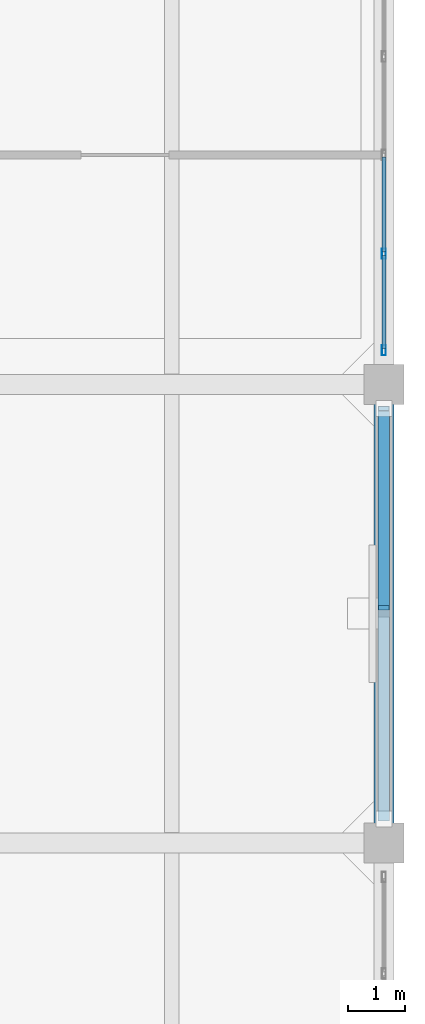
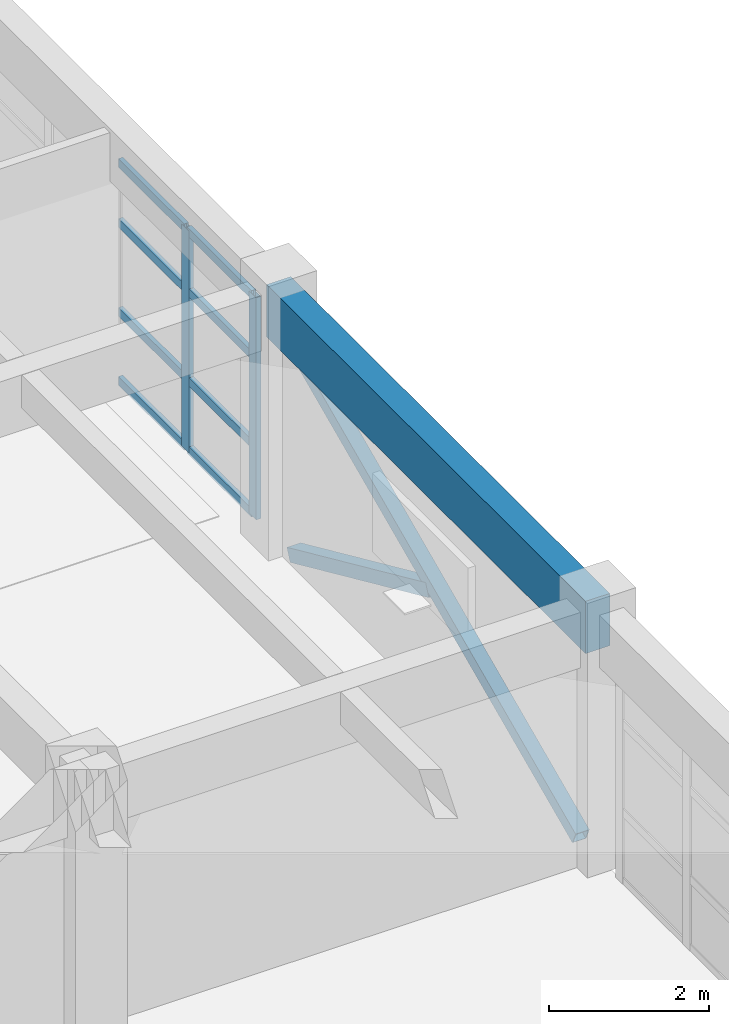
# One storey, part 10 of 25: 12 members, 1 beam, 1 element without a shape of its own.
"""IFC4 building model written with IfcOpenShell, lengths in metres."""

from ifc_helpers import new_model, si_unit, direction, frame, origin, origin_2d, place, context, subcontext, project, spatial, rectangle, hollow_rectangle, extrude, material, layer, layer_set, material_profile, profile_set, type_object, element, aggregate, save


model = new_model("IFC4")

# Units and contexts
model_context = context("Model", 3, precision=1e-05, world=origin(), true_north=direction((0.0, 1.0)))
body_context = subcontext(model_context, "Body", "Model", "MODEL_VIEW")
ifc_project = project(units=[si_unit("LENGTHUNIT", "METRE"), si_unit("AREAUNIT", "SQUARE_METRE"), si_unit("VOLUMEUNIT", "CUBIC_METRE"), si_unit("PLANEANGLEUNIT", "RADIAN"), si_unit("MASSUNIT", "GRAM", prefix="KILO")], contexts=[model_context])

# Site, building, storey
site_placement = place(None, origin())
site = spatial("IfcSite", under=ifc_project, at=site_placement, CompositionType="ELEMENT")
building_placement = place(site_placement, origin())
building = spatial("IfcBuilding", under=site, at=building_placement, Name="Canggui Botanical Conservatory", CompositionType="ELEMENT")
storey_placement = place(building_placement, frame((0.0, 0.0, 40.199951171875)))
storey = spatial("IfcBuildingStorey", under=building, at=storey_placement, Name="L10", CompositionType="ELEMENT", Elevation=40.199951171875)

# Beam
ifc_material_1 = material(Name="Concrete C35", Category="concrete")
ifc_material_profile_1 = material_profile(ifc_material_1, rectangle(XDim=0.35009765625, YDim=0.800048828125, at=origin_2d()), Name="RB 350x800")
ifc_profile_set_1 = profile_set([ifc_material_profile_1], Name="Concrete C35")
beam_type = type_object("IfcBeamType", Name="BM-KL15", PredefinedType="BEAM", material=ifc_profile_set_1)
beam_placement = place(storey_placement, frame((177.39990234375, 42.0, 3.56005859375), z_axis=(0.0, 1.0, 0.0), x_axis=(-1.0, 0.0, 0.0)))
element("IfcBeam", 1, at=beam_placement, inside=storey, type_object=beam_type, Name="Frame Girder L10 X178-2", PredefinedType="BEAM", context=body_context, shape_type="SweptSolid", body=[
    extrude(rectangle(XDim=0.35009765625, YDim=0.800048828125, at=origin_2d()), origin(), (0.0, 0.0, 1.0), 8.0),
])

# Curtain wall, members
ifc_material_2 = material(Name="Thermally Broken Aluminium", Category="aluminium")
ifc_layer = layer(ifc_material_2, 0.179931640625, Name="Thermally Broken Aluminium", Category="aluminium")
ifc_layer_set = layer_set([ifc_layer], Name="Thermally Broken Aluminium")
curtain_wall_type = type_object("IfcCurtainWallType", Name="CW-UNIT-A", PredefinedType="USERDEFINED", material=ifc_layer_set)
curtain_wall_placement = place(storey_placement, origin())
curtain_wall = element("IfcCurtainWall", 2, at=curtain_wall_placement, inside=storey, type_object=curtain_wall_type, Name="Facade Curtain Wall CW-TWR-L10-16", ObjectType="UNITISED CURTAIN WALL", PredefinedType="USERDEFINED")
ifc_material_profile_2 = material_profile(ifc_material_2, hollow_rectangle(XDim=0.070068359375, YDim=0.179931640625, WallThickness=0.00390625, at=origin_2d()), Name="CWM 70x180x4")
ifc_profile_set_2 = profile_set([ifc_material_profile_2], Name="Thermally Broken Aluminium")
member_type_1 = type_object("IfcMemberType", Name="CWM-01", PredefinedType="MULLION", material=ifc_profile_set_2)
member_1_placement = place(storey_placement, frame((177.39990234375, 52.280029296875, 0.0), z_axis=(0.0, 0.0, 1.0), x_axis=(1.0, 0.0, 0.0)))
member_1 = element("IfcMember", 3, at=member_1_placement, type_object=member_type_1, Name="CW-01 mullion 4", PredefinedType="MULLION", context=body_context, shape_type="SweptSolid", body=[
    extrude(hollow_rectangle(XDim=0.070068359375, YDim=0.179931640625, WallThickness=0.00390625, at=origin_2d()), origin(), (0.0, 0.0, 1.0), 3.400146484375),
])
member_2_placement = place(storey_placement, frame((177.39990234375, 50.594970703125, 0.0), z_axis=(0.0, 0.0, 1.0), x_axis=(1.0, 0.0, 0.0)))
member_2 = element("IfcMember", 4, at=member_2_placement, type_object=member_type_1, Name="CW-01 mullion 5", PredefinedType="MULLION", context=body_context, shape_type="SweptSolid", body=[
    extrude(hollow_rectangle(XDim=0.070068359375, YDim=0.179931640625, WallThickness=0.00390625, at=origin_2d()), origin(), (0.0, 0.0, 1.0), 3.400146484375),
])
ifc_material_profile_3 = material_profile(ifc_material_2, hollow_rectangle(XDim=0.06494140625, YDim=0.1298828125, WallThickness=0.00341796875, at=origin_2d()), Name="CWT 65x130x3.5")
ifc_profile_set_3 = profile_set([ifc_material_profile_3], Name="Thermally Broken Aluminium")
member_type_2 = type_object("IfcMemberType", Name="CWT-01", PredefinedType="USERDEFINED", material=ifc_profile_set_3)
member_3_placement = place(storey_placement, frame((177.39990234375, 53.965087890625, 0.032470703125), z_axis=(0.0, -1.0, 0.0), x_axis=(1.0, 0.0, 0.0)))
member_3 = element("IfcMember", 5, at=member_3_placement, type_object=member_type_2, Name="CW-01 transom 3.1", ObjectType="TRANSOM", PredefinedType="USERDEFINED", context=body_context, shape_type="SweptSolid", body=[
    extrude(hollow_rectangle(XDim=0.06494140625, YDim=0.1298828125, WallThickness=0.00341796875, at=origin_2d()), origin(), (0.0, 0.0, 1.0), 1.650146484375),
])
member_4_placement = place(storey_placement, frame((177.39990234375, 53.965087890625, 1.088134765625), z_axis=(0.0, -1.0, 0.0), x_axis=(1.0, 0.0, 0.0)))
member_4 = element("IfcMember", 6, at=member_4_placement, type_object=member_type_2, Name="CW-01 transom 3.2", ObjectType="TRANSOM", PredefinedType="USERDEFINED", context=body_context, shape_type="SweptSolid", body=[
    extrude(hollow_rectangle(XDim=0.06494140625, YDim=0.1298828125, WallThickness=0.00341796875, at=origin_2d()), origin(), (0.0, 0.0, 1.0), 1.650146484375),
])
member_5_placement = place(storey_placement, frame((177.39990234375, 53.965087890625, 2.447998046875), z_axis=(0.0, -1.0, 0.0), x_axis=(1.0, 0.0, 0.0)))
member_5 = element("IfcMember", 7, at=member_5_placement, type_object=member_type_2, Name="CW-01 transom 3.3", ObjectType="TRANSOM", PredefinedType="USERDEFINED", context=body_context, shape_type="SweptSolid", body=[
    extrude(hollow_rectangle(XDim=0.06494140625, YDim=0.1298828125, WallThickness=0.00341796875, at=origin_2d()), origin(), (0.0, 0.0, 1.0), 1.650146484375),
])
member_6_placement = place(storey_placement, frame((177.39990234375, 53.965087890625, 3.367431640625), z_axis=(0.0, -1.0, 0.0), x_axis=(1.0, 0.0, 0.0)))
member_6 = element("IfcMember", 8, at=member_6_placement, type_object=member_type_2, Name="CW-01 transom 3.4", ObjectType="TRANSOM", PredefinedType="USERDEFINED", context=body_context, shape_type="SweptSolid", body=[
    extrude(hollow_rectangle(XDim=0.06494140625, YDim=0.1298828125, WallThickness=0.00341796875, at=origin_2d()), origin(), (0.0, 0.0, 1.0), 1.650146484375),
])
member_7_placement = place(storey_placement, frame((177.39990234375, 52.2451171875, 0.032470703125), z_axis=(0.0, -1.0, 0.0), x_axis=(1.0, 0.0, 0.0)))
member_7 = element("IfcMember", 9, at=member_7_placement, type_object=member_type_2, Name="CW-01 transom 4.1", ObjectType="TRANSOM", PredefinedType="USERDEFINED", context=body_context, shape_type="SweptSolid", body=[
    extrude(hollow_rectangle(XDim=0.06494140625, YDim=0.1298828125, WallThickness=0.00341796875, at=origin_2d()), origin(), (0.0, 0.0, 1.0), 1.615234375),
])
member_8_placement = place(storey_placement, frame((177.39990234375, 52.2451171875, 1.088134765625), z_axis=(0.0, -1.0, 0.0), x_axis=(1.0, 0.0, 0.0)))
member_8 = element("IfcMember", 10, at=member_8_placement, type_object=member_type_2, Name="CW-01 transom 4.2", ObjectType="TRANSOM", PredefinedType="USERDEFINED", context=body_context, shape_type="SweptSolid", body=[
    extrude(hollow_rectangle(XDim=0.06494140625, YDim=0.1298828125, WallThickness=0.00341796875, at=origin_2d()), origin(), (0.0, 0.0, 1.0), 1.615234375),
])
member_9_placement = place(storey_placement, frame((177.39990234375, 52.2451171875, 2.447998046875), z_axis=(0.0, -1.0, 0.0), x_axis=(1.0, 0.0, 0.0)))
member_9 = element("IfcMember", 11, at=member_9_placement, type_object=member_type_2, Name="CW-01 transom 4.3", ObjectType="TRANSOM", PredefinedType="USERDEFINED", context=body_context, shape_type="SweptSolid", body=[
    extrude(hollow_rectangle(XDim=0.06494140625, YDim=0.1298828125, WallThickness=0.00341796875, at=origin_2d()), origin(), (0.0, 0.0, 1.0), 1.615234375),
])
member_10_placement = place(storey_placement, frame((177.39990234375, 52.2451171875, 3.367431640625), z_axis=(0.0, -1.0, 0.0), x_axis=(1.0, 0.0, 0.0)))
member_10 = element("IfcMember", 12, at=member_10_placement, type_object=member_type_2, Name="CW-01 transom 4.4", ObjectType="TRANSOM", PredefinedType="USERDEFINED", context=body_context, shape_type="SweptSolid", body=[
    extrude(hollow_rectangle(XDim=0.06494140625, YDim=0.1298828125, WallThickness=0.00341796875, at=origin_2d()), origin(), (0.0, 0.0, 1.0), 1.615234375),
])
aggregate(curtain_wall, [member_1, member_2, member_3, member_4, member_5, member_6, member_7, member_8, member_9, member_10])

# Members
ifc_material_3 = material(Name="Steel Q355B", Category="steel")
ifc_material_profile_4 = material_profile(ifc_material_3, hollow_rectangle(XDim=0.199951171875, YDim=0.199951171875, WallThickness=0.008056640625, at=origin_2d()), Name="SHS 200x200x8")
ifc_profile_set_4 = profile_set([ifc_material_profile_4], Name="Steel Q355B")
member_type_3 = type_object("IfcMemberType", Name="MEM-ZC02", PredefinedType="BRACE", material=ifc_profile_set_4)
member_11_placement = place(storey_placement, frame((177.39990234375, 42.419921875, 0.050048828125), z_axis=(0.0, 0.911544271313, 0.411201947268), x_axis=(-1.0, 0.0, 0.0)))
element("IfcMember", 13, at=member_11_placement, inside=storey, type_object=member_type_3, Name="Seismic Concentric X-Brace Continuous Diagonal L10-A", PredefinedType="BRACE", context=body_context, shape_type="SweptSolid", body=[
    extrude(hollow_rectangle(XDim=0.199951171875, YDim=0.199951171875, WallThickness=0.008056640625, at=origin_2d()), origin(), (0.0, 0.0, 1.0), 7.85498046875),
])
member_12_placement = place(storey_placement, frame((177.39990234375, 49.580078125, 0.050048828125), z_axis=(0.0, -0.911534585255, 0.411223418452), x_axis=(1.0, 0.0, 0.0)))
element("IfcMember", 14, at=member_12_placement, inside=storey, type_object=member_type_3, Name="Seismic Concentric X-Brace Lower Split Diagonal L10-B1", PredefinedType="BRACE", context=body_context, shape_type="SweptSolid", body=[
    extrude(hollow_rectangle(XDim=0.199951171875, YDim=0.199951171875, WallThickness=0.008056640625, at=origin_2d()), origin(), (0.0, 0.0, 1.0), 3.8173828125),
])

save(model, "model.ifc")
